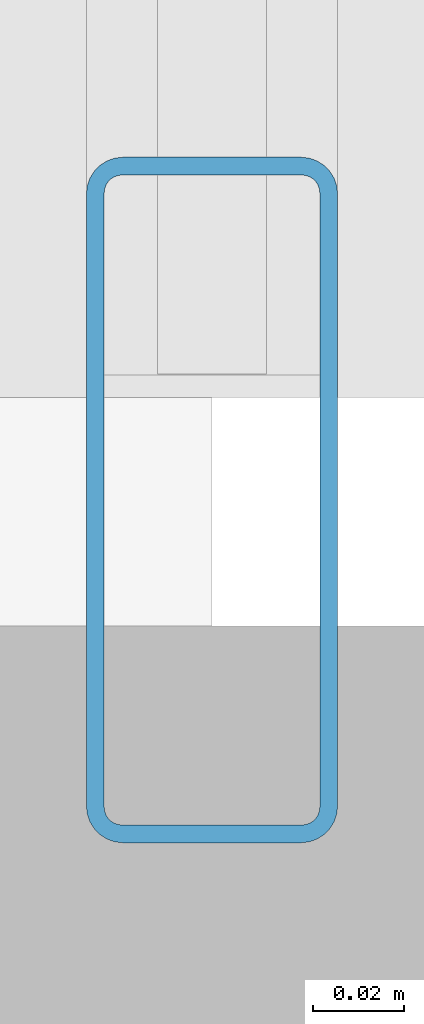
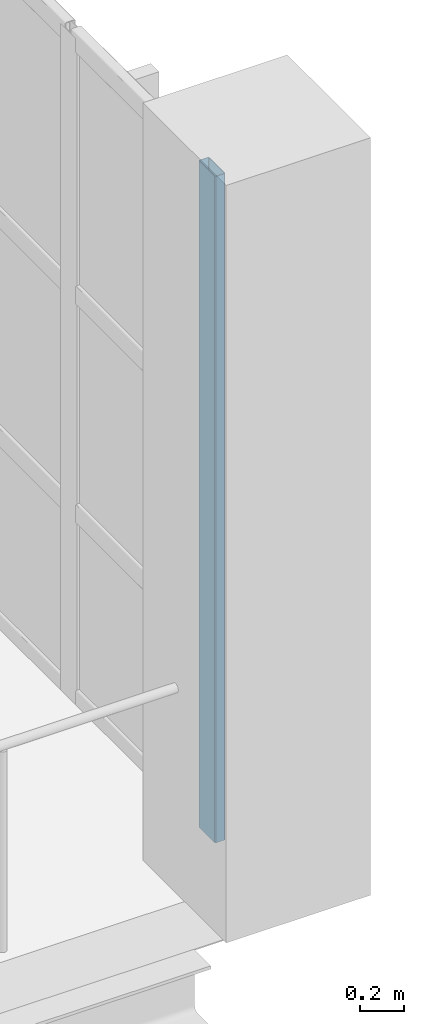
# One storey, part 31 of 177: 1 member, 1 element without a shape of its own.
"""IFC4 building model written with IfcOpenShell, lengths in metres."""

import ifcopenshell
import ifcopenshell.guid

model = None  # the IFC model being written
_history = None  # IfcOwnerHistory: only IFC2X3 demands one
_inside = {}  # id of a spatial element -> (the spatial element, [elements in it])
_under = {}  # id of a project, library or spatial element -> (it, [spatial elements below it])
_declared = {}  # id of a project -> (the project, [libraries it declares])
_typed = {}  # id of a type object -> (the type object, [elements of that type])
_made_of = {}  # id of a material, layer set ... -> (it, [elements and type objects made of it])


def new_model(schema):
    """Start an empty IFC model of exactly this schema.

    Asked for "IFC4X3", IfcOpenShell would pick the latest addendum, in which some entities
    have other attributes; the version numbers below select the first issue.
    IFC2X3 requires an IfcOwnerHistory on every rooted entity: one is made here for all.
    """
    global model, _history
    if schema == "IFC4X3":
        model = ifcopenshell.file(schema_version=(4, 3, 0, 0))
    else:
        model = ifcopenshell.file(schema=schema)
    _inside.clear()
    _under.clear()
    _declared.clear()
    _typed.clear()
    _made_of.clear()
    _history = None
    if model.schema == "IFC2X3":
        org = make("IfcOrganization", Name="unknown")
        user = make(
            "IfcPersonAndOrganization",
            ThePerson=make("IfcPerson", FamilyName="unknown"),
            TheOrganization=org,
        )
        app = make(
            "IfcApplication",
            ApplicationDeveloper=org,
            Version="unknown",
            ApplicationFullName="unknown",
            ApplicationIdentifier="unknown",
        )
        _history = make(
            "IfcOwnerHistory",
            OwningUser=user,
            OwningApplication=app,
            ChangeAction="ADDED",
            CreationDate=0,
        )
    return model


def make(cls, **values):
    """One entity of the class cls with the attributes given. An attribute that is None is left unset."""
    return model.create_entity(
        cls, **{name: value for name, value in values.items() if value is not None}
    )


def rooted(cls, **values):
    """An entity with a GlobalId (a new one), such as an element, a storey or a relation."""
    return make(cls, GlobalId=ifcopenshell.guid.new(), OwnerHistory=_history, **values)


def si_unit(unit_type, name, prefix=None):
    """IfcSIUnit, for example si_unit("LENGTHUNIT", "METRE", prefix="MILLI")."""
    return make("IfcSIUnit", UnitType=unit_type, Prefix=prefix, Name=name)


def assignment(units):
    """IfcUnitAssignment: the units of a project."""
    return None if units is None else make("IfcUnitAssignment", Units=units)


def point(xyz):
    """IfcCartesianPoint."""
    return None if xyz is None else make("IfcCartesianPoint", Coordinates=xyz)


def direction(xyz):
    """IfcDirection."""
    return None if xyz is None else make("IfcDirection", DirectionRatios=xyz)


def frame(location, z_axis=None, x_axis=None):
    """IfcAxis2Placement3D, a coordinate frame: its origin and axes. An axis left out is left unset."""
    return make(
        "IfcAxis2Placement3D",
        Location=point(location),
        Axis=direction(z_axis),
        RefDirection=direction(x_axis),
    )


def frame_2d(location, x_axis=None):
    """IfcAxis2Placement2D, a coordinate frame in the plane: its origin and x axis."""
    return make(
        "IfcAxis2Placement2D", Location=point(location), RefDirection=direction(x_axis)
    )


def origin():
    """The frame at (0, 0, 0) with its axes left unset."""
    return frame((0.0, 0.0, 0.0))


def origin_2d():
    """The frame at (0, 0) in the plane with its x axis left unset."""
    return frame_2d((0.0, 0.0))


def place(relative_to, where):
    """IfcLocalPlacement: puts the frame where relative to a parent placement (None: the world)."""
    return make(
        "IfcLocalPlacement", PlacementRelTo=relative_to, RelativePlacement=where
    )


def context(
    kind, dimensions, precision=None, world=None, true_north=None, identifier=None
):
    """IfcGeometricRepresentationContext, for example the 3D "Model" context."""
    return make(
        "IfcGeometricRepresentationContext",
        ContextIdentifier=identifier,
        ContextType=kind,
        CoordinateSpaceDimension=dimensions,
        Precision=precision,
        WorldCoordinateSystem=world,
        TrueNorth=true_north,
    )


def subcontext(parent, identifier, kind, view, scale=None):
    """IfcGeometricRepresentationSubContext, for example "Body" below "Model"."""
    return make(
        "IfcGeometricRepresentationSubContext",
        ContextIdentifier=identifier,
        ContextType=kind,
        ParentContext=parent,
        TargetScale=scale,
        TargetView=view,
    )


def project(units=None, contexts=None):
    """IfcProject with its units and contexts."""
    return rooted(
        "IfcProject",
        Name="project",
        RepresentationContexts=contexts,
        UnitsInContext=assignment(units),
    )


def spatial(cls, under=None, at=None, **own):
    """A site, building, storey or space (cls), placed at a placement, below another one or the project."""
    s = rooted(cls, ObjectPlacement=at, **own)
    if under is not None:
        _under.setdefault(under.id(), (under, []))[1].append(s)
    return s


def profile(cls, at=None, kind="AREA", **sizes):
    """A parametric profile (cls). Its sizes go by their IFC names, for example OverallWidth=200.0."""
    return make(cls, ProfileType=kind, Position=at, **sizes)


def hollow_rectangle(**sizes):
    """IfcRectangleHollowProfileDef."""
    return profile("IfcRectangleHollowProfileDef", **sizes)


def extrude(swept, where, along, depth):
    """IfcExtrudedAreaSolid: the profile swept, set in the frame where, extruded along a direction by depth."""
    return make(
        "IfcExtrudedAreaSolid",
        SweptArea=swept,
        Position=where,
        ExtrudedDirection=direction(along),
        Depth=depth,
    )


def shape(context_of_items, identifier, shape_type, items):
    """IfcShapeRepresentation: the items that make up one representation, for example the "Body"."""
    return make(
        "IfcShapeRepresentation",
        ContextOfItems=context_of_items,
        RepresentationIdentifier=identifier,
        RepresentationType=shape_type,
        Items=items,
    )


def material(Name=None, Category=None):
    """IfcMaterial."""
    return make("IfcMaterial", Name=Name, Category=Category)


def layer(
    of_material, thickness, ventilated=None, Name=None, Category=None, Priority=None
):
    """IfcMaterialLayer: one layer of a wall or slab, of a material (None: an air gap)."""
    return make(
        "IfcMaterialLayer",
        Material=of_material,
        LayerThickness=thickness,
        IsVentilated=ventilated,
        Name=Name,
        Category=Category,
        Priority=Priority,
    )


def layer_set(layers, Name=None):
    """IfcMaterialLayerSet."""
    return make("IfcMaterialLayerSet", MaterialLayers=layers, LayerSetName=Name)


def material_profile(
    of_material, cross_section, Name=None, Category=None, Priority=None
):
    """IfcMaterialProfile: a cross section and its material."""
    return make(
        "IfcMaterialProfile",
        Name=Name,
        Material=of_material,
        Profile=cross_section,
        Priority=Priority,
        Category=Category,
    )


def profile_set(profiles, Name=None, composite=None):
    """IfcMaterialProfileSet."""
    return make(
        "IfcMaterialProfileSet",
        Name=Name,
        MaterialProfiles=profiles,
        CompositeProfile=composite,
    )


def made_of(thing, what):
    """Note that an element or type object is made of a material, layer set ...; save() writes the relation."""
    if what is not None:
        _made_of.setdefault(what.id(), (what, []))[1].append(thing)
    return thing


def type_object(cls, material=None, **own):
    """A type object (cls), such as IfcWallType, which elements share."""
    return made_of(rooted(cls, **own), material)


def element(
    cls,
    number,
    at=None,
    inside=None,
    cuts=None,
    type_object=None,
    material=None,
    context=None,
    identifier="Body",
    shape_type=None,
    held_by="IfcProductDefinitionShape",
    body=None,
    shapes=None,
    **own,
):
    """One element of the class cls, such as IfcWall. Its Tag is "e" and its number.

    at: its placement. inside: the storey or other place that contains it. cuts: it is an
    opening in that element (IfcRelVoidsElement). A single representation is given by context,
    identifier, shape_type and body (its items); several are given by shapes. held_by: the class
    of the entity that holds the representations. save() writes the other relations.
    """
    e = rooted(cls, Tag="e%d" % number, ObjectPlacement=at, **own)
    if body is not None:
        shapes = [shape(context, identifier, shape_type, body)]
    if shapes is not None:
        e.Representation = make(held_by, Representations=shapes)
    if inside is not None:
        _inside.setdefault(inside.id(), (inside, []))[1].append(e)
    if cuts is not None:
        rooted(
            "IfcRelVoidsElement", RelatingBuildingElement=cuts, RelatedOpeningElement=e
        )
    if type_object is not None:
        _typed.setdefault(type_object.id(), (type_object, []))[1].append(e)
    return made_of(e, material)


def aggregate(whole, parts):
    """IfcRelAggregates: a whole, such as a stair, and the parts it consists of."""
    return rooted("IfcRelAggregates", RelatingObject=whole, RelatedObjects=parts)


def save(model, path):
    """Write the relations noted so far, then the file.

    IfcRelAggregates (storeys below a building ...), IfcRelContainedInSpatialStructure (elements
    in a storey), IfcRelDefinesByType, IfcRelAssociatesMaterial and IfcRelDeclares: one each for
    every whole, place, type object, material and project.
    """
    for whole, parts in _under.values():
        aggregate(whole, parts)
    for where, things in _inside.values():
        rooted(
            "IfcRelContainedInSpatialStructure",
            RelatedElements=things,
            RelatingStructure=where,
        )
    for kind, things in _typed.values():
        rooted("IfcRelDefinesByType", RelatedObjects=things, RelatingType=kind)
    for what, things in _made_of.values():
        rooted("IfcRelAssociatesMaterial", RelatedObjects=things, RelatingMaterial=what)
    for by, libraries in _declared.values():
        rooted("IfcRelDeclares", RelatingContext=by, RelatedDefinitions=libraries)
    model.write(path)


model = new_model("IFC4")

# Units and contexts
model_context = context("Model", 3, precision=1e-05, world=origin(), true_north=direction((0.0, 1.0)))
body_context = subcontext(model_context, "Body", "Model", "MODEL_VIEW")
ifc_project = project(units=[si_unit("LENGTHUNIT", "METRE"), si_unit("AREAUNIT", "SQUARE_METRE"), si_unit("VOLUMEUNIT", "CUBIC_METRE"), si_unit("PLANEANGLEUNIT", "RADIAN"), si_unit("MASSUNIT", "GRAM", prefix="KILO"), si_unit("THERMODYNAMICTEMPERATUREUNIT", "KELVIN"), si_unit("POWERUNIT", "WATT")], contexts=[model_context])

# Site, building, storey
site_placement = place(None, origin())
site = spatial("IfcSite", under=ifc_project, at=site_placement, CompositionType="ELEMENT")
building_placement = place(site_placement, origin())
building = spatial("IfcBuilding", under=site, at=building_placement, Name="Mavoryth Pier Ferry Terminal", CompositionType="ELEMENT")
storey_placement = place(building_placement, frame((0.0, 0.0, 5.43994140625)))
storey = spatial("IfcBuildingStorey", under=building, at=storey_placement, Name="L01", CompositionType="ELEMENT", Elevation=5.43994140625)

# Curtain wall, member
ifc_material_1 = material(Name="Anodised Aluminium and Solar-Control Low-E Glass", Category="aluminium")
ifc_layer = layer(ifc_material_1, 0.199951171875, Name="Anodised Aluminium and Solar-Control Low-E Glass", Category="aluminium")
ifc_layer_set = layer_set([ifc_layer], Name="Anodised Aluminium and Solar-Control Low-E Glass - CW-Concourse-Mod1200")
curtain_wall_type = type_object("IfcCurtainWallType", Name="CW-Concourse-Mod1200", PredefinedType="USERDEFINED", material=ifc_layer_set)
curtain_wall_placement = place(storey_placement, origin())
curtain_wall = element("IfcCurtainWall", 1, at=curtain_wall_placement, inside=storey, type_object=curtain_wall_type, Name="Curtain Wall CW-0111-008", ObjectType="UNITISED CURTAIN WALL", PredefinedType="USERDEFINED")
ifc_material_2 = material(Name="Anodised Aluminium EN AW-6063", Category="aluminium")
ifc_material_profile = material_profile(ifc_material_2, hollow_rectangle(XDim=0.054931640625, YDim=0.14990234375, WallThickness=0.00390625, InnerFilletRadius=0.00390625, OuterFilletRadius=0.008056640625, at=origin_2d()), Name="AL-MULL 150x55x4", Category="aluminium")
ifc_profile_set = profile_set([ifc_material_profile], Name="Anodised Aluminium EN AW-6063 - AL-MULL 150x55x4")
member_type = type_object("IfcMemberType", Name="Mullion-Alum-150x55", PredefinedType="MULLION", material=ifc_profile_set)
member_placement = place(storey_placement, frame((33.60009765625, 47.6025390625, 0.0), z_axis=(0.0, 0.0, 1.0), x_axis=(-1.0, 0.0, 0.0)))
member = element("IfcMember", 2, at=member_placement, type_object=member_type, Name="CW02 mullion 1", PredefinedType="MULLION", context=body_context, shape_type="SweptSolid", body=[
    extrude(hollow_rectangle(XDim=0.054931640625, YDim=0.14990234375, WallThickness=0.00390625, InnerFilletRadius=0.00390625, OuterFilletRadius=0.008056640625, at=origin_2d()), origin(), (0.0, 0.0, 1.0), 3.66015625),
])
aggregate(curtain_wall, [member])

save(model, "model.ifc")
